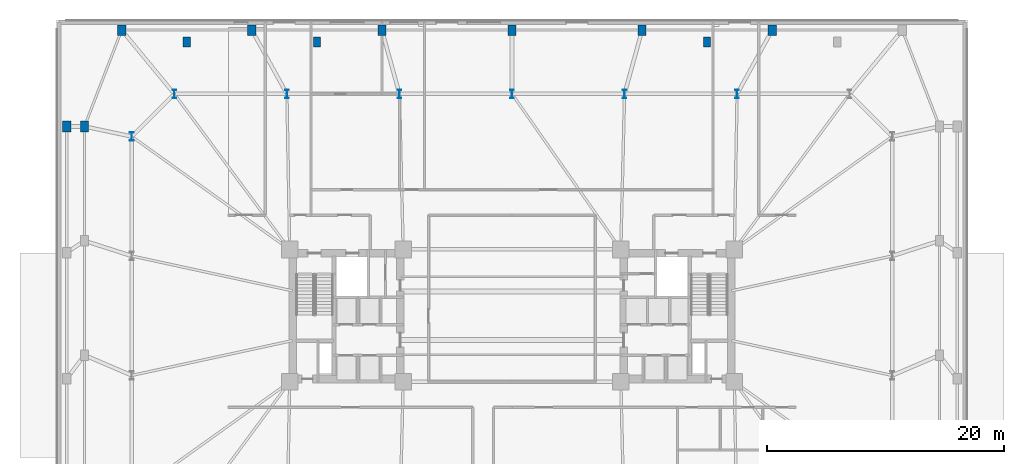
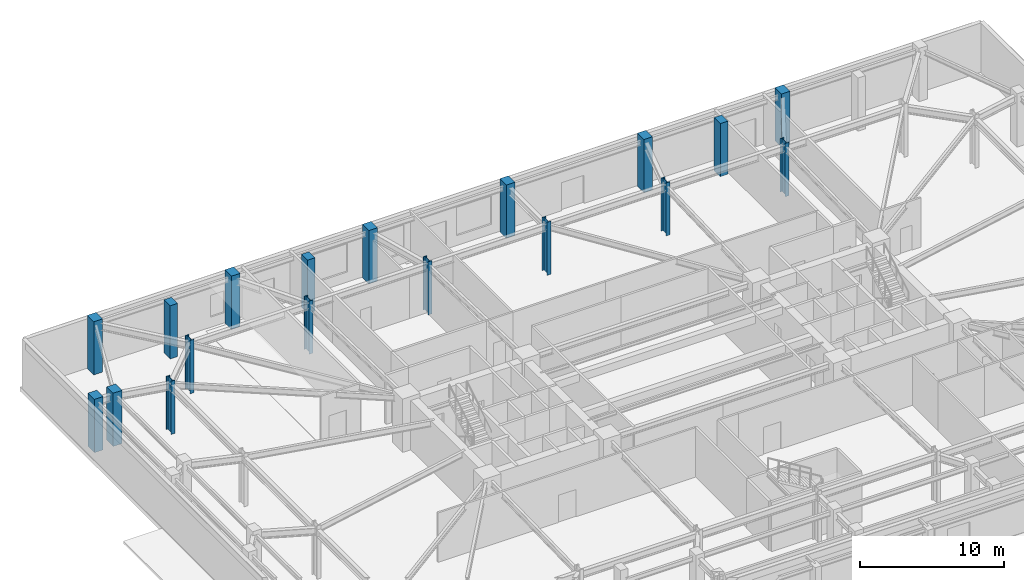
# One storey, part 3 of 18: 18 columns.
"""IFC4 building model written with IfcOpenShell, lengths in metres."""

from ifc_helpers import new_model, si_unit, direction, frame, origin, origin_2d, place, context, subcontext, project, spatial, rectangle, i_section, extrude, material, material_profile, profile_set, type_object, element, save


model = new_model("IFC4")

# Units and contexts
model_context = context("Model", 3, precision=1e-05, world=origin(), true_north=direction((0.0, 1.0)))
body_context = subcontext(model_context, "Body", "Model", "MODEL_VIEW")
ifc_project = project(units=[si_unit("LENGTHUNIT", "METRE"), si_unit("AREAUNIT", "SQUARE_METRE"), si_unit("VOLUMEUNIT", "CUBIC_METRE"), si_unit("PLANEANGLEUNIT", "RADIAN"), si_unit("MASSUNIT", "GRAM", prefix="KILO")], contexts=[model_context])

# Site, building, storey
site_placement = place(None, origin())
site = spatial("IfcSite", under=ifc_project, at=site_placement, CompositionType="ELEMENT")
building_placement = place(site_placement, origin())
building = spatial("IfcBuilding", under=site, at=building_placement, Name="Qobustan Lattice House", CompositionType="ELEMENT")
storey_placement = place(building_placement, origin())
storey = spatial("IfcBuildingStorey", under=building, at=storey_placement, Name="L00", CompositionType="ELEMENT", Elevation=0.0)

# Columns
ifc_material_1 = material(Name="Concrete C50/60", Category="concrete")
ifc_material_profile_1 = material_profile(ifc_material_1, rectangle(XDim=0.60009765625, YDim=0.85009765625, at=origin_2d()), Name="RC600x850")
ifc_profile_set_1 = profile_set([ifc_material_profile_1], Name="Concrete C50/60")
column_type_1 = type_object("IfcColumnType", Name="COL-PIL-600x850", PredefinedType="PILASTER", material=ifc_profile_set_1)
for number, where, z_axis, x_axis, name in (
    (1, (-27.5, 23.14990234375, 0.0), (0.0, 0.0, 1.0), (1.0, 0.0, 0.0), "L00 colonnade pilaster N1"),
    (2, (-16.5, 23.14990234375, 0.0), (0.0, 0.0, 1.0), (1.0, 0.0, 0.0), "L00 colonnade pilaster N2"),
    (3, (16.5, 23.14990234375, 0.0), (0.0, 0.0, 1.0), (1.0, 0.0, 0.0), "L00 colonnade pilaster N3"),
):
    element("IfcColumn", number, at=place(storey_placement, frame(where, z_axis=z_axis, x_axis=x_axis)), inside=storey, type_object=column_type_1, Name=name, PredefinedType="PILASTER", context=body_context, shape_type="SweptSolid", body=[
        extrude(rectangle(XDim=0.60009765625, YDim=0.85009765625, at=origin_2d()), origin(), (0.0, 0.0, 1.0), 4.5),
    ])
ifc_material_2 = material(Name="Concrete C50/60", Category="concrete")
ifc_material_profile_2 = material_profile(ifc_material_2, rectangle(XDim=0.699951171875, YDim=0.89990234375, at=origin_2d()), Name="RC700x900")
ifc_profile_set_2 = profile_set([ifc_material_profile_2], Name="Concrete C50/60")
column_type_2 = type_object("IfcColumnType", Name="COL-RC-700x900", PredefinedType="COLUMN", material=ifc_profile_set_2)
for number, where, z_axis, x_axis, name in (
    (4, (-33.0, 24.14990234375, 0.0), (0.0, 0.0, 1.0), (1.0, 0.0, 0.0), "L00 podium column PN1"),
    (5, (-22.0, 24.14990234375, 0.0), (0.0, 0.0, 1.0), (1.0, 0.0, 0.0), "L00 podium column PN2"),
    (6, (-11.0, 24.14990234375, 0.0), (0.0, 0.0, 1.0), (1.0, 0.0, 0.0), "L00 podium column PN3"),
    (7, (0.0, 24.14990234375, 0.0), (0.0, 0.0, 1.0), (1.0, 0.0, 0.0), "L00 podium column PN4"),
    (8, (11.0, 24.14990234375, 0.0), (0.0, 0.0, 1.0), (1.0, 0.0, 0.0), "L00 podium column PN5"),
    (9, (22.0, 24.14990234375, 0.0), (0.0, 0.0, 1.0), (1.0, 0.0, 0.0), "L00 podium column PN6"),
    (10, (-36.14990234375, 16.0, 0.0), (0.0, 0.0, 1.0), (1.0, 0.0, 0.0), "L00 podium column PW4"),
    (11, (-37.64990234375, 16.0, 0.0), (0.0, 0.0, 1.0), (1.0, 0.0, 0.0), "L00 lower podium perimeter column PWL4"),
):
    element("IfcColumn", number, at=place(storey_placement, frame(where, z_axis=z_axis, x_axis=x_axis)), inside=storey, type_object=column_type_2, Name=name, PredefinedType="COLUMN", context=body_context, shape_type="SweptSolid", body=[
        extrude(rectangle(XDim=0.699951171875, YDim=0.89990234375, at=origin_2d()), origin(), (0.0, 0.0, 1.0), 4.5),
    ])
ifc_material_3 = material(Name="Steel S460", Category="steel")
ifc_material_profile_3 = material_profile(ifc_material_3, i_section(OverallWidth=0.303955078125, OverallDepth=0.716064453125, WebThickness=0.02099609375, FlangeThickness=0.0400390625, FilletRadius=0.027099609375, at=origin_2d()), Name="HEM700")
ifc_profile_set_3 = profile_set([ifc_material_profile_3], Name="Steel S460")
column_type_3 = type_object("IfcColumnType", Name="COL-ST-HEM700", PredefinedType="COLUMN", material=ifc_profile_set_3)
for number, where, z_axis, x_axis, name in (
    (12, (19.033203125, 18.75, 0.0), (0.0, 0.0, 1.0), (1.0, 0.0, 0.0), "L00 tower base column N2"),
    (13, (9.5166015625, 18.75, 0.0), (0.0, 0.0, 1.0), (1.0, 0.0, 0.0), "L00 tower base column N3"),
    (14, (0.0, 18.75, 0.0), (0.0, 0.0, 1.0), (1.0, 0.0, 0.0), "L00 tower base column N4"),
    (15, (-9.5166015625, 18.75, 0.0), (0.0, 0.0, 1.0), (1.0, 0.0, 0.0), "L00 tower base column N5"),
    (16, (-19.033203125, 18.75, 0.0), (0.0, 0.0, 1.0), (1.0, 0.0, 0.0), "L00 tower base column N6"),
    (17, (-28.550048828125, 18.75, 0.0), (0.0, 0.0, 1.0), (1.0, 0.0, 0.0), "L00 tower base column N7"),
    (18, (-32.14990234375, 15.14990234375, 0.0), (0.0, 0.0, 1.0), (1.0, 0.0, 0.0), "L00 tower base column W1"),
):
    element("IfcColumn", number, at=place(storey_placement, frame(where, z_axis=z_axis, x_axis=x_axis)), inside=storey, type_object=column_type_3, Name=name, PredefinedType="COLUMN", context=body_context, shape_type="SweptSolid", body=[
        extrude(i_section(OverallWidth=0.303955078125, OverallDepth=0.716064453125, WebThickness=0.02099609375, FlangeThickness=0.0400390625, FilletRadius=0.027099609375, at=origin_2d()), origin(), (0.0, 0.0, 1.0), 4.5),
    ])

save(model, "model.ifc")
